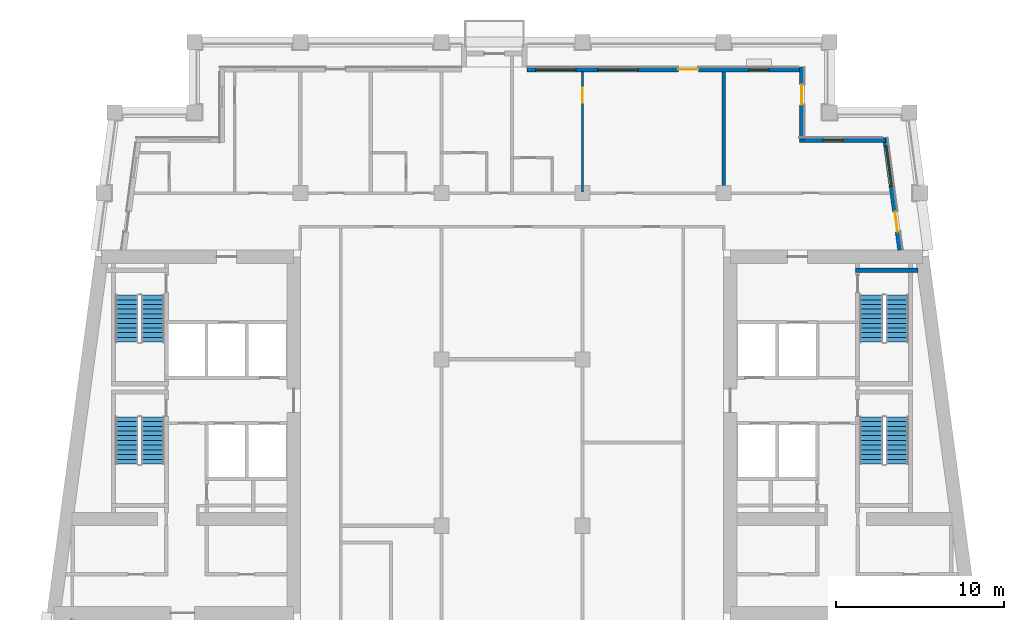
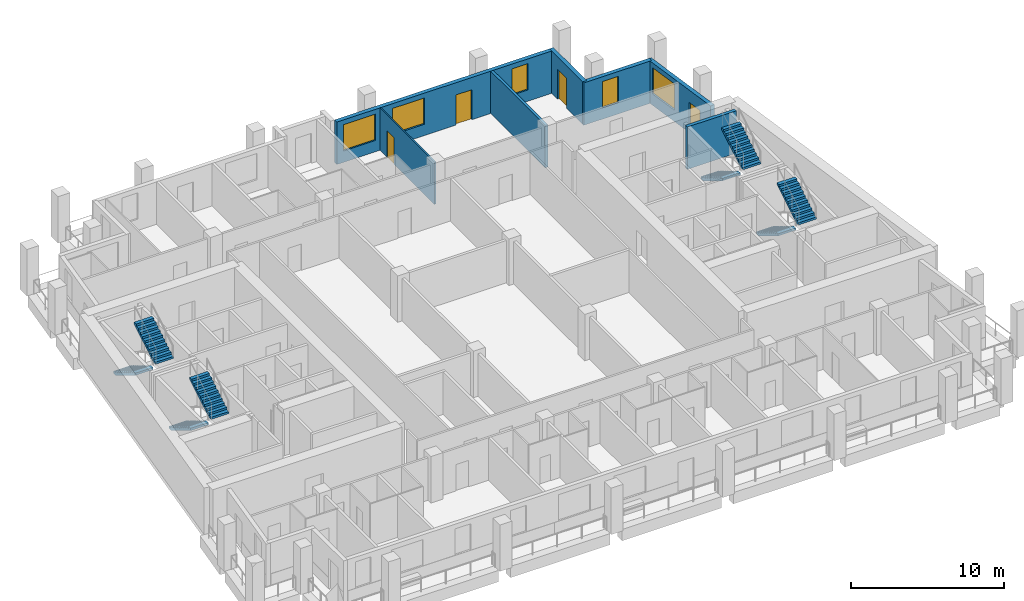
# One storey, part 7 of 12: 8 stair flights, 7 walls, 5 windows, 4 doors, 9 openings, 4 elements without a shape of their own.
"""IFC4 building model written with IfcOpenShell, lengths in metres."""

import ifcopenshell
import ifcopenshell.guid

model = None  # the IFC model being written
_history = None  # IfcOwnerHistory: only IFC2X3 demands one
_inside = {}  # id of a spatial element -> (the spatial element, [elements in it])
_under = {}  # id of a project, library or spatial element -> (it, [spatial elements below it])
_declared = {}  # id of a project -> (the project, [libraries it declares])
_typed = {}  # id of a type object -> (the type object, [elements of that type])
_made_of = {}  # id of a material, layer set ... -> (it, [elements and type objects made of it])


def new_model(schema):
    """Start an empty IFC model of exactly this schema.

    Asked for "IFC4X3", IfcOpenShell would pick the latest addendum, in which some entities
    have other attributes; the version numbers below select the first issue.
    IFC2X3 requires an IfcOwnerHistory on every rooted entity: one is made here for all.
    """
    global model, _history
    if schema == "IFC4X3":
        model = ifcopenshell.file(schema_version=(4, 3, 0, 0))
    else:
        model = ifcopenshell.file(schema=schema)
    _inside.clear()
    _under.clear()
    _declared.clear()
    _typed.clear()
    _made_of.clear()
    _history = None
    if model.schema == "IFC2X3":
        org = make("IfcOrganization", Name="unknown")
        user = make(
            "IfcPersonAndOrganization",
            ThePerson=make("IfcPerson", FamilyName="unknown"),
            TheOrganization=org,
        )
        app = make(
            "IfcApplication",
            ApplicationDeveloper=org,
            Version="unknown",
            ApplicationFullName="unknown",
            ApplicationIdentifier="unknown",
        )
        _history = make(
            "IfcOwnerHistory",
            OwningUser=user,
            OwningApplication=app,
            ChangeAction="ADDED",
            CreationDate=0,
        )
    return model


def make(cls, **values):
    """One entity of the class cls with the attributes given. An attribute that is None is left unset."""
    return model.create_entity(
        cls, **{name: value for name, value in values.items() if value is not None}
    )


def rooted(cls, **values):
    """An entity with a GlobalId (a new one), such as an element, a storey or a relation."""
    return make(cls, GlobalId=ifcopenshell.guid.new(), OwnerHistory=_history, **values)


def si_unit(unit_type, name, prefix=None):
    """IfcSIUnit, for example si_unit("LENGTHUNIT", "METRE", prefix="MILLI")."""
    return make("IfcSIUnit", UnitType=unit_type, Prefix=prefix, Name=name)


def assignment(units):
    """IfcUnitAssignment: the units of a project."""
    return None if units is None else make("IfcUnitAssignment", Units=units)


def point(xyz):
    """IfcCartesianPoint."""
    return None if xyz is None else make("IfcCartesianPoint", Coordinates=xyz)


def direction(xyz):
    """IfcDirection."""
    return None if xyz is None else make("IfcDirection", DirectionRatios=xyz)


def frame(location, z_axis=None, x_axis=None):
    """IfcAxis2Placement3D, a coordinate frame: its origin and axes. An axis left out is left unset."""
    return make(
        "IfcAxis2Placement3D",
        Location=point(location),
        Axis=direction(z_axis),
        RefDirection=direction(x_axis),
    )


def frame_2d(location, x_axis=None):
    """IfcAxis2Placement2D, a coordinate frame in the plane: its origin and x axis."""
    return make(
        "IfcAxis2Placement2D", Location=point(location), RefDirection=direction(x_axis)
    )


def origin():
    """The frame at (0, 0, 0) with its axes left unset."""
    return frame((0.0, 0.0, 0.0))


def place(relative_to, where):
    """IfcLocalPlacement: puts the frame where relative to a parent placement (None: the world)."""
    return make(
        "IfcLocalPlacement", PlacementRelTo=relative_to, RelativePlacement=where
    )


def context(
    kind, dimensions, precision=None, world=None, true_north=None, identifier=None
):
    """IfcGeometricRepresentationContext, for example the 3D "Model" context."""
    return make(
        "IfcGeometricRepresentationContext",
        ContextIdentifier=identifier,
        ContextType=kind,
        CoordinateSpaceDimension=dimensions,
        Precision=precision,
        WorldCoordinateSystem=world,
        TrueNorth=true_north,
    )


def subcontext(parent, identifier, kind, view, scale=None):
    """IfcGeometricRepresentationSubContext, for example "Body" below "Model"."""
    return make(
        "IfcGeometricRepresentationSubContext",
        ContextIdentifier=identifier,
        ContextType=kind,
        ParentContext=parent,
        TargetScale=scale,
        TargetView=view,
    )


def project(units=None, contexts=None):
    """IfcProject with its units and contexts."""
    return rooted(
        "IfcProject",
        Name="project",
        RepresentationContexts=contexts,
        UnitsInContext=assignment(units),
    )


def spatial(cls, under=None, at=None, **own):
    """A site, building, storey or space (cls), placed at a placement, below another one or the project."""
    s = rooted(cls, ObjectPlacement=at, **own)
    if under is not None:
        _under.setdefault(under.id(), (under, []))[1].append(s)
    return s


def polyline(points):
    """IfcPolyline through the points."""
    return make("IfcPolyline", Points=[point(p) for p in points])


def profile(cls, at=None, kind="AREA", **sizes):
    """A parametric profile (cls). Its sizes go by their IFC names, for example OverallWidth=200.0."""
    return make(cls, ProfileType=kind, Position=at, **sizes)


def rectangle(**sizes):
    """IfcRectangleProfileDef."""
    return profile("IfcRectangleProfileDef", **sizes)


def outline(outer, holes=None, kind="AREA"):
    """IfcArbitraryClosedProfileDef: a profile drawn as a closed curve; with holes, ...WithVoids."""
    if holes is None:
        return make("IfcArbitraryClosedProfileDef", ProfileType=kind, OuterCurve=outer)
    return make(
        "IfcArbitraryProfileDefWithVoids",
        ProfileType=kind,
        OuterCurve=outer,
        InnerCurves=holes,
    )


def extrude(swept, where, along, depth):
    """IfcExtrudedAreaSolid: the profile swept, set in the frame where, extruded along a direction by depth."""
    return make(
        "IfcExtrudedAreaSolid",
        SweptArea=swept,
        Position=where,
        ExtrudedDirection=direction(along),
        Depth=depth,
    )


def shape(context_of_items, identifier, shape_type, items):
    """IfcShapeRepresentation: the items that make up one representation, for example the "Body"."""
    return make(
        "IfcShapeRepresentation",
        ContextOfItems=context_of_items,
        RepresentationIdentifier=identifier,
        RepresentationType=shape_type,
        Items=items,
    )


def material(Name=None, Category=None):
    """IfcMaterial."""
    return make("IfcMaterial", Name=Name, Category=Category)


def layer(
    of_material, thickness, ventilated=None, Name=None, Category=None, Priority=None
):
    """IfcMaterialLayer: one layer of a wall or slab, of a material (None: an air gap)."""
    return make(
        "IfcMaterialLayer",
        Material=of_material,
        LayerThickness=thickness,
        IsVentilated=ventilated,
        Name=Name,
        Category=Category,
        Priority=Priority,
    )


def layer_set(layers, Name=None):
    """IfcMaterialLayerSet."""
    return make("IfcMaterialLayerSet", MaterialLayers=layers, LayerSetName=Name)


def made_of(thing, what):
    """Note that an element or type object is made of a material, layer set ...; save() writes the relation."""
    if what is not None:
        _made_of.setdefault(what.id(), (what, []))[1].append(thing)
    return thing


def type_object(cls, material=None, **own):
    """A type object (cls), such as IfcWallType, which elements share."""
    return made_of(rooted(cls, **own), material)


def element(
    cls,
    number,
    at=None,
    inside=None,
    cuts=None,
    type_object=None,
    material=None,
    context=None,
    identifier="Body",
    shape_type=None,
    held_by="IfcProductDefinitionShape",
    body=None,
    shapes=None,
    **own,
):
    """One element of the class cls, such as IfcWall. Its Tag is "e" and its number.

    at: its placement. inside: the storey or other place that contains it. cuts: it is an
    opening in that element (IfcRelVoidsElement). A single representation is given by context,
    identifier, shape_type and body (its items); several are given by shapes. held_by: the class
    of the entity that holds the representations. save() writes the other relations.
    """
    e = rooted(cls, Tag="e%d" % number, ObjectPlacement=at, **own)
    if body is not None:
        shapes = [shape(context, identifier, shape_type, body)]
    if shapes is not None:
        e.Representation = make(held_by, Representations=shapes)
    if inside is not None:
        _inside.setdefault(inside.id(), (inside, []))[1].append(e)
    if cuts is not None:
        rooted(
            "IfcRelVoidsElement", RelatingBuildingElement=cuts, RelatedOpeningElement=e
        )
    if type_object is not None:
        _typed.setdefault(type_object.id(), (type_object, []))[1].append(e)
    return made_of(e, material)


def fill(opening, filler):
    """IfcRelFillsElement: the door or window that sits in an opening."""
    return rooted(
        "IfcRelFillsElement",
        RelatingOpeningElement=opening,
        RelatedBuildingElement=filler,
    )


def aggregate(whole, parts):
    """IfcRelAggregates: a whole, such as a stair, and the parts it consists of."""
    return rooted("IfcRelAggregates", RelatingObject=whole, RelatedObjects=parts)


def save(model, path):
    """Write the relations noted so far, then the file.

    IfcRelAggregates (storeys below a building ...), IfcRelContainedInSpatialStructure (elements
    in a storey), IfcRelDefinesByType, IfcRelAssociatesMaterial and IfcRelDeclares: one each for
    every whole, place, type object, material and project.
    """
    for whole, parts in _under.values():
        aggregate(whole, parts)
    for where, things in _inside.values():
        rooted(
            "IfcRelContainedInSpatialStructure",
            RelatedElements=things,
            RelatingStructure=where,
        )
    for kind, things in _typed.values():
        rooted("IfcRelDefinesByType", RelatedObjects=things, RelatingType=kind)
    for what, things in _made_of.values():
        rooted("IfcRelAssociatesMaterial", RelatedObjects=things, RelatingMaterial=what)
    for by, libraries in _declared.values():
        rooted("IfcRelDeclares", RelatingContext=by, RelatedDefinitions=libraries)
    model.write(path)


model = new_model("IFC4")

# Units and contexts
model_context = context("Model", 3, precision=1e-05, world=origin(), true_north=direction((0.0, 1.0)))
body_context = subcontext(model_context, "Body", "Model", "MODEL_VIEW")
ifc_project = project(units=[si_unit("LENGTHUNIT", "METRE"), si_unit("AREAUNIT", "SQUARE_METRE"), si_unit("VOLUMEUNIT", "CUBIC_METRE"), si_unit("PLANEANGLEUNIT", "RADIAN"), si_unit("MASSUNIT", "GRAM", prefix="KILO")], contexts=[model_context])

# Site, building, storey
site_placement = place(None, origin())
site = spatial("IfcSite", under=ifc_project, at=site_placement, CompositionType="ELEMENT")
building_placement = place(site_placement, origin())
building = spatial("IfcBuilding", under=site, at=building_placement, Name="Candeia Pilgrim Tower and Theatre", CompositionType="ELEMENT")
storey_placement = place(building_placement, frame((0.0, 0.0, 209.60009765625)))
storey = spatial("IfcBuildingStorey", under=building, at=storey_placement, Name="L50", CompositionType="ELEMENT", Elevation=209.60009765625)

# Wall, openings, door, window
ifc_material_1 = material(Name="Ceramic block masonry", Category="masonry")
ifc_layer_1 = layer(ifc_material_1, 0.300048828125)
ifc_layer_set_1 = layer_set([ifc_layer_1], Name="EW1 glazing-line wall 300")
wall_type_1 = type_object("IfcWallType", Name="EW1 glazing-line wall 300", PredefinedType="SOLIDWALL", material=ifc_layer_set_1)
wall_1_placement = place(storey_placement, frame((136.50439453125, 132.39990234375, 0.0), z_axis=(0.0, 0.0, 1.0), x_axis=(-0.133399697462, 0.99106231929, 0.0)))
wall_1 = element("IfcWall", 1, at=wall_1_placement, inside=storey, type_object=wall_type_1, Name="External wall L50-3.1", PredefinedType="SOLIDWALL", context=body_context, shape_type="SweptSolid", body=[
    extrude(rectangle(XDim=6.740478515625, YDim=0.300048828125, at=frame_2d((3.3701171875, 0.0))), origin(), (0.0, 0.0, 1.0), 3.3798828125),
])
opening_1_placement = place(wall_1_placement, frame((1.115234375, 0.0, 0.0)))
opening_1 = element("IfcOpeningElement", 2, at=opening_1_placement, cuts=wall_1, Name="Opening L50-ED475", PredefinedType="OPENING", context=body_context, shape_type="SweptSolid", body=[
    extrude(rectangle(XDim=1.199951171875, YDim=2.39990234375, at=frame_2d((0.60009765625, 1.199951171875))), frame((0.0, 0.16015625, 0.0), z_axis=(0.0, -1.0, 0.0), x_axis=(1.0, 0.0, 0.0)), (0.0, 0.0, 1.0), 0.320068359375),
])
opening_2_placement = place(wall_1_placement, frame((3.83544921875, 0.0, 0.89990234375)))
opening_2 = element("IfcOpeningElement", 3, at=opening_2_placement, cuts=wall_1, Name="Opening W-A", PredefinedType="OPENING", context=body_context, shape_type="SweptSolid", body=[
    extrude(rectangle(XDim=2.39990234375, YDim=2.10009765625, at=frame_2d((1.199951171875, 1.050048828125))), frame((0.0, 0.16015625, 0.0), z_axis=(0.0, -1.0, 0.0), x_axis=(1.0, 0.0, 0.0)), (0.0, 0.0, 1.0), 0.320068359375),
])
ifc_material_2 = material(Name="Aluminium framed glazed door", Category="aluminium")
door_type_1 = type_object("IfcDoorType", Name="Loggia door 1200x2400", OperationType="DOUBLE_DOOR_SINGLE_SWING", PredefinedType="DOOR", material=ifc_material_2)
door_1_placement = place(opening_1_placement, origin())
door_1 = element("IfcDoor", 4, at=door_1_placement, inside=storey, type_object=door_type_1, Name="Loggia door L50-ED475", OperationType="DOUBLE_DOOR_SINGLE_SWING", OverallHeight=2.39990234375, OverallWidth=1.199951171875, PredefinedType="DOOR", context=body_context, shape_type="SweptSolid", body=[
    extrude(rectangle(XDim=1.199951171875, YDim=2.39990234375, at=frame_2d((0.60009765625, 1.199951171875))), frame((0.0, 0.02490234375, 0.0), z_axis=(0.0, -1.0, 0.0), x_axis=(1.0, 0.0, 0.0)), (0.0, 0.0, 1.0), 0.050048828125),
])
fill(opening_1, door_1)
ifc_material_3 = material(Name="Aluminium framed double glazing", Category="aluminium")
window_type_1 = type_object("IfcWindowType", Name="W-A window 2400x2100", PartitioningType="DOUBLE_PANEL_VERTICAL", PredefinedType="WINDOW", material=ifc_material_3)
window_1_placement = place(opening_2_placement, origin())
window_1 = element("IfcWindow", 5, at=window_1_placement, inside=storey, type_object=window_type_1, Name="Window W-A L50", OverallHeight=2.10009765625, OverallWidth=2.39990234375, PartitioningType="SINGLE_PANEL", PredefinedType="WINDOW", context=body_context, shape_type="SweptSolid", body=[
    extrude(rectangle(XDim=2.39990234375, YDim=2.10009765625, at=frame_2d((1.199951171875, 1.050048828125))), frame((0.0, 0.030029296875, 0.0), z_axis=(0.0, -1.0, 0.0), x_axis=(1.0, 0.0, 0.0)), (0.0, 0.0, 1.0), 0.06005859375),
])
fill(opening_2, window_1)

# Wall, opening, window
wall_2_placement = place(storey_placement, frame((135.62255859375, 138.949951171875, 0.0), z_axis=(0.0, 0.0, 1.0), x_axis=(-1.0, 0.0, 0.0)))
wall_2 = element("IfcWall", 6, at=wall_2_placement, inside=storey, type_object=wall_type_1, Name="External wall L50-4.0", PredefinedType="SOLIDWALL", context=body_context, shape_type="SweptSolid", body=[
    extrude(rectangle(XDim=5.12255859375, YDim=0.300048828125, at=frame_2d((2.561279296875, 0.0))), origin(), (0.0, 0.0, 1.0), 3.3798828125),
])
opening_3_placement = place(wall_2_placement, frame((2.522705078125, 0.0, 0.89990234375)))
opening_3 = element("IfcOpeningElement", 7, at=opening_3_placement, cuts=wall_2, Name="Opening W-B", PredefinedType="OPENING", context=body_context, shape_type="SweptSolid", body=[
    extrude(rectangle(XDim=1.199951171875, YDim=2.10009765625, at=frame_2d((0.60009765625, 1.050048828125))), frame((0.0, 0.16015625, 0.0), z_axis=(0.0, -1.0, 0.0), x_axis=(1.0, 0.0, 0.0)), (0.0, 0.0, 1.0), 0.320068359375),
])
window_type_2 = type_object("IfcWindowType", Name="W-B window 1200x2100", PartitioningType="SINGLE_PANEL", PredefinedType="WINDOW", material=ifc_material_3)
window_2_placement = place(opening_3_placement, origin())
window_2 = element("IfcWindow", 8, at=window_2_placement, inside=storey, type_object=window_type_2, Name="Window W-B L50", OverallHeight=2.10009765625, OverallWidth=1.199951171875, PartitioningType="SINGLE_PANEL", PredefinedType="WINDOW", context=body_context, shape_type="SweptSolid", body=[
    extrude(rectangle(XDim=1.199951171875, YDim=2.10009765625, at=frame_2d((0.60009765625, 1.050048828125))), frame((0.0, 0.030029296875, 0.0), z_axis=(0.0, -1.0, 0.0), x_axis=(1.0, 0.0, 0.0)), (0.0, 0.0, 1.0), 0.06005859375),
])
fill(opening_3, window_2)

# Wall, opening, door
wall_3_placement = place(storey_placement, frame((130.64990234375, 138.949951171875, 0.0), z_axis=(0.0, 0.0, 1.0), x_axis=(0.0, 1.0, 0.0)))
wall_3 = element("IfcWall", 9, at=wall_3_placement, inside=storey, type_object=wall_type_1, Name="External wall L50-5.0", PredefinedType="SOLIDWALL", context=body_context, shape_type="SweptSolid", body=[
    extrude(rectangle(XDim=4.35009765625, YDim=0.300048828125, at=frame_2d((2.175048828125, 0.0))), origin(), (0.0, 0.0, 1.0), 3.3798828125),
])
opening_4_placement = place(wall_3_placement, frame((2.10009765625, 0.0, 0.0)))
opening_4 = element("IfcOpeningElement", 10, at=opening_4_placement, cuts=wall_3, Name="Opening L50-ED476", PredefinedType="OPENING", context=body_context, shape_type="SweptSolid", body=[
    extrude(rectangle(XDim=1.199951171875, YDim=2.39990234375, at=frame_2d((0.60009765625, 1.199951171875))), frame((0.0, 0.16015625, 0.0), z_axis=(0.0, -1.0, 0.0), x_axis=(1.0, 0.0, 0.0)), (0.0, 0.0, 1.0), 0.320068359375),
])
door_2_placement = place(opening_4_placement, origin())
door_2 = element("IfcDoor", 11, at=door_2_placement, inside=storey, type_object=door_type_1, Name="Loggia door L50-ED476", OperationType="DOUBLE_DOOR_SINGLE_SWING", OverallHeight=2.39990234375, OverallWidth=1.199951171875, PredefinedType="DOOR", context=body_context, shape_type="SweptSolid", body=[
    extrude(rectangle(XDim=1.199951171875, YDim=2.39990234375, at=frame_2d((0.60009765625, 1.199951171875))), frame((0.0, 0.02490234375, 0.0), z_axis=(0.0, -1.0, 0.0), x_axis=(1.0, 0.0, 0.0)), (0.0, 0.0, 1.0), 0.050048828125),
])
fill(opening_4, door_2)

# Wall, openings, door, windows
wall_4_placement = place(storey_placement, frame((130.64990234375, 143.14990234375, 0.0), z_axis=(0.0, 0.0, 1.0), x_axis=(-1.0, 0.0, 0.0)))
wall_4 = element("IfcWall", 12, at=wall_4_placement, inside=storey, type_object=wall_type_1, Name="External wall L50-6.0", PredefinedType="SOLIDWALL", context=body_context, shape_type="SweptSolid", body=[
    extrude(rectangle(XDim=16.349853515625, YDim=0.300048828125, at=frame_2d((8.1748046875, 0.0))), origin(), (0.0, 0.0, 1.0), 3.3798828125),
])
opening_5_placement = place(wall_4_placement, frame((1.949951171875, 0.0, 0.89990234375)))
opening_5 = element("IfcOpeningElement", 13, at=opening_5_placement, cuts=wall_4, Name="Opening W-B", PredefinedType="OPENING", context=body_context, shape_type="SweptSolid", body=[
    extrude(rectangle(XDim=1.199951171875, YDim=2.10009765625, at=frame_2d((0.60009765625, 1.050048828125))), frame((0.0, 0.16015625, 0.0), z_axis=(0.0, -1.0, 0.0), x_axis=(1.0, 0.0, 0.0)), (0.0, 0.0, 1.0), 0.320068359375),
])
opening_6_placement = place(wall_4_placement, frame((6.14990234375, 0.0, 0.0)))
opening_6 = element("IfcOpeningElement", 14, at=opening_6_placement, cuts=wall_4, Name="Opening L50-ED477", PredefinedType="OPENING", context=body_context, shape_type="SweptSolid", body=[
    extrude(rectangle(XDim=1.199951171875, YDim=2.39990234375, at=frame_2d((0.60009765625, 1.199951171875))), frame((0.0, 0.16015625, 0.0), z_axis=(0.0, -1.0, 0.0), x_axis=(1.0, 0.0, 0.0)), (0.0, 0.0, 1.0), 0.320068359375),
])
opening_7_placement = place(wall_4_placement, frame((9.75, 0.0, 0.89990234375)))
opening_7 = element("IfcOpeningElement", 15, at=opening_7_placement, cuts=wall_4, Name="Opening W-A", PredefinedType="OPENING", context=body_context, shape_type="SweptSolid", body=[
    extrude(rectangle(XDim=2.39990234375, YDim=2.10009765625, at=frame_2d((1.199951171875, 1.050048828125))), frame((0.0, 0.16015625, 0.0), z_axis=(0.0, -1.0, 0.0), x_axis=(1.0, 0.0, 0.0)), (0.0, 0.0, 1.0), 0.320068359375),
])
opening_8_placement = place(wall_4_placement, frame((13.449951171875, 0.0, 0.89990234375)))
opening_8 = element("IfcOpeningElement", 16, at=opening_8_placement, cuts=wall_4, Name="Opening W-A", PredefinedType="OPENING", context=body_context, shape_type="SweptSolid", body=[
    extrude(rectangle(XDim=2.39990234375, YDim=2.10009765625, at=frame_2d((1.199951171875, 1.050048828125))), frame((0.0, 0.16015625, 0.0), z_axis=(0.0, -1.0, 0.0), x_axis=(1.0, 0.0, 0.0)), (0.0, 0.0, 1.0), 0.320068359375),
])
door_3_placement = place(opening_6_placement, origin())
door_3 = element("IfcDoor", 17, at=door_3_placement, inside=storey, type_object=door_type_1, Name="Loggia door L50-ED477", OperationType="DOUBLE_DOOR_SINGLE_SWING", OverallHeight=2.39990234375, OverallWidth=1.199951171875, PredefinedType="DOOR", context=body_context, shape_type="SweptSolid", body=[
    extrude(rectangle(XDim=1.199951171875, YDim=2.39990234375, at=frame_2d((0.60009765625, 1.199951171875))), frame((0.0, 0.02490234375, 0.0), z_axis=(0.0, -1.0, 0.0), x_axis=(1.0, 0.0, 0.0)), (0.0, 0.0, 1.0), 0.050048828125),
])
fill(opening_6, door_3)
window_3_placement = place(opening_7_placement, origin())
window_3 = element("IfcWindow", 18, at=window_3_placement, inside=storey, type_object=window_type_1, Name="Window W-A L50", OverallHeight=2.10009765625, OverallWidth=2.39990234375, PartitioningType="SINGLE_PANEL", PredefinedType="WINDOW", context=body_context, shape_type="SweptSolid", body=[
    extrude(rectangle(XDim=2.39990234375, YDim=2.10009765625, at=frame_2d((1.199951171875, 1.050048828125))), frame((0.0, 0.030029296875, 0.0), z_axis=(0.0, -1.0, 0.0), x_axis=(1.0, 0.0, 0.0)), (0.0, 0.0, 1.0), 0.06005859375),
])
fill(opening_7, window_3)
window_4_placement = place(opening_8_placement, origin())
window_4 = element("IfcWindow", 19, at=window_4_placement, inside=storey, type_object=window_type_1, Name="Window W-A L50", OverallHeight=2.10009765625, OverallWidth=2.39990234375, PartitioningType="SINGLE_PANEL", PredefinedType="WINDOW", context=body_context, shape_type="SweptSolid", body=[
    extrude(rectangle(XDim=2.39990234375, YDim=2.10009765625, at=frame_2d((1.199951171875, 1.050048828125))), frame((0.0, 0.030029296875, 0.0), z_axis=(0.0, -1.0, 0.0), x_axis=(1.0, 0.0, 0.0)), (0.0, 0.0, 1.0), 0.06005859375),
])
fill(opening_8, window_4)
window_5_placement = place(opening_5_placement, origin())
window_5 = element("IfcWindow", 20, at=window_5_placement, inside=storey, type_object=window_type_2, Name="Window W-B L50", OverallHeight=2.10009765625, OverallWidth=1.199951171875, PartitioningType="SINGLE_PANEL", PredefinedType="WINDOW", context=body_context, shape_type="SweptSolid", body=[
    extrude(rectangle(XDim=1.199951171875, YDim=2.10009765625, at=frame_2d((0.60009765625, 1.050048828125))), frame((0.0, 0.030029296875, 0.0), z_axis=(0.0, -1.0, 0.0), x_axis=(1.0, 0.0, 0.0)), (0.0, 0.0, 1.0), 0.06005859375),
])
fill(opening_5, window_5)

# Wall, opening, door
ifc_material_4 = material(Name="Gypsum board partition on steel studs", Category="steel")
ifc_layer_2 = layer(ifc_material_4, 0.10009765625)
ifc_layer_set_2 = layer_set([ifc_layer_2], Name="PW-100 room partition")
wall_type_2 = type_object("IfcWallType", Name="PW-100 room partition", PredefinedType="PARTITIONING", material=ifc_layer_set_2)
wall_5_placement = place(storey_placement, frame((117.60009765625, 135.875, 0.0), z_axis=(0.0, 0.0, 1.0), x_axis=(0.0, 1.0, 0.0)))
wall_5 = element("IfcWall", 21, at=wall_5_placement, inside=storey, type_object=wall_type_2, Name="Room partition L50-090", PredefinedType="PARTITIONING", context=body_context, shape_type="SweptSolid", body=[
    extrude(rectangle(XDim=7.135009765625, YDim=0.10009765625, at=frame_2d((3.5673828125, 0.0))), origin(), (0.0, 0.0, 1.0), 3.3798828125),
])
opening_9_placement = place(wall_5_placement, frame((5.2900390625, 0.0, 0.0)))
opening_9 = element("IfcOpeningElement", 22, at=opening_9_placement, cuts=wall_5, Name="Opening L50-D043", PredefinedType="OPENING", context=body_context, shape_type="SweptSolid", body=[
    extrude(rectangle(XDim=0.89990234375, YDim=2.10009765625, at=frame_2d((0.449951171875, 1.050048828125))), frame((0.0, 0.06005859375, 0.0), z_axis=(0.0, -1.0, 0.0), x_axis=(1.0, 0.0, 0.0)), (0.0, 0.0, 1.0), 0.1201171875),
])
ifc_material_5 = material(Name="Timber door leaf", Category="wood")
door_type_2 = type_object("IfcDoorType", Name="D-900", OperationType="NOTDEFINED", PredefinedType="DOOR", material=ifc_material_5)
door_4_placement = place(opening_9_placement, origin())
door_4 = element("IfcDoor", 23, at=door_4_placement, inside=storey, type_object=door_type_2, Name="Door L50-D043", OperationType="SINGLE_SWING_LEFT", OverallHeight=2.10009765625, OverallWidth=0.89990234375, PredefinedType="DOOR", context=body_context, shape_type="SweptSolid", body=[
    extrude(rectangle(XDim=0.89990234375, YDim=2.10009765625, at=frame_2d((0.449951171875, 1.050048828125))), frame((0.0, 0.02490234375, 0.0), z_axis=(0.0, -1.0, 0.0), x_axis=(1.0, 0.0, 0.0)), (0.0, 0.0, 1.0), 0.050048828125),
])
fill(opening_9, door_4)

# Walls
ifc_layer_3 = layer(ifc_material_4, 0.199951171875)
ifc_layer_set_3 = layer_set([ifc_layer_3], Name="PW-200 party wall")
wall_type_3 = type_object("IfcWallType", Name="PW-200 party wall", PredefinedType="PARTITIONING", material=ifc_layer_set_3)
wall_6_placement = place(storey_placement, frame((126.0, 135.875, 0.0), z_axis=(0.0, 0.0, 1.0), x_axis=(0.0, 1.0, 0.0)))
element("IfcWall", 24, at=wall_6_placement, inside=storey, type_object=wall_type_3, Name="Party wall L50-098", PredefinedType="PARTITIONING", context=body_context, shape_type="SweptSolid", body=[
    extrude(rectangle(XDim=7.135009765625, YDim=0.199951171875, at=frame_2d((3.5673828125, 0.0))), origin(), (0.0, 0.0, 1.0), 3.3798828125),
])
ifc_material_6 = material(Name="Concrete C40/50", Category="concrete")
ifc_layer_4 = layer(ifc_material_6, 0.25)
ifc_layer_set_4 = layer_set([ifc_layer_4], Name="SW-250 stair wall")
wall_type_4 = type_object("IfcWallType", Name="SW-250 stair wall", PredefinedType="PARTITIONING", material=ifc_layer_set_4)
wall_7_placement = place(storey_placement, frame((133.847900390625, 131.199951171875, 0.0), z_axis=(0.0, 0.0, 1.0), x_axis=(1.0, 0.0, 0.0)))
element("IfcWall", 25, at=wall_7_placement, inside=storey, type_object=wall_type_4, Name="Stair wall L50-042", PredefinedType="PARTITIONING", context=body_context, shape_type="SweptSolid", body=[
    extrude(rectangle(XDim=3.705810546875, YDim=0.25, at=frame_2d((1.85302734375, 0.0))), origin(), (0.0, 0.0, 1.0), 3.3798828125),
])

# Stair, stair flights
stair_type = type_object("IfcStairType", Name="ST-TWR dog-leg escape stair", PredefinedType="HALF_TURN_STAIR", material=ifc_material_6)
stair_1_placement = place(storey_placement, origin())
stair_1 = element("IfcStair", 26, at=stair_1_placement, inside=storey, type_object=stair_type, Name="L50 Escape stair ST1", PredefinedType="HALF_TURN_STAIR")
stair_flight_type = type_object("IfcStairFlightType", Name="SFL-RC stair flight", PredefinedType="STRAIGHT", material=ifc_material_6)
stair_flight_1_placement = place(storey_placement, frame((90.47705078125, 122.47509765625, 0.0), z_axis=(0.0, 0.0, 1.0), x_axis=(0.0, -1.0, 0.0)))
stair_flight_1 = element("IfcStairFlight", 27, at=stair_flight_1_placement, type_object=stair_flight_type, Name="ST1 flight 1", NumberOfRisers=11, NumberOfTreads=10, PredefinedType="STRAIGHT", RiserHeight=0.168181818, TreadLength=0.28, context=body_context, shape_type="SweptSolid", body=[
    extrude(outline(polyline([(0.0, 0.0), (0.0, 0.168212890625), (0.280029296875, 0.168212890625), (0.280029296875, 0.33642578125), (0.56005859375, 0.33642578125), (0.56005859375, 0.504638671875), (0.840087890625, 0.504638671875), (0.840087890625, 0.672607421875), (1.1201171875, 0.672607421875), (1.1201171875, 0.8408203125), (1.39990234375, 0.8408203125), (1.39990234375, 1.009033203125), (1.679931640625, 1.009033203125), (1.679931640625, 1.17724609375), (1.9599609375, 1.17724609375), (1.9599609375, 1.345458984375), (2.239990234375, 1.345458984375), (2.239990234375, 1.513671875), (2.52001953125, 1.513671875), (2.52001953125, 1.681884765625), (2.800048828125, 1.681884765625), (2.800048828125, 1.85009765625), (2.800048828125, 1.5068359375), (0.291015625, 0.0), (0.0, 0.0)])), frame((0.0, 0.675048828125, 0.0), z_axis=(0.0, -1.0, 0.0), x_axis=(1.0, 0.0, 0.0)), (0.0, 0.0, 1.0), 1.35009765625),
])
stair_flight_2_placement = place(storey_placement, frame((92.027099609375, 119.675048828125, 1.849853515625), z_axis=(0.0, 0.0, 1.0), x_axis=(0.0, 1.0, 0.0)))
stair_flight_2 = element("IfcStairFlight", 28, at=stair_flight_2_placement, type_object=stair_flight_type, Name="ST1 flight 2", NumberOfRisers=11, NumberOfTreads=10, PredefinedType="STRAIGHT", RiserHeight=0.168181818, TreadLength=0.28, context=body_context, shape_type="SweptSolid", body=[
    extrude(outline(polyline([(0.0, 0.0), (0.0, 0.168212890625), (0.280029296875, 0.168212890625), (0.280029296875, 0.33642578125), (0.56005859375, 0.33642578125), (0.56005859375, 0.504638671875), (0.840087890625, 0.504638671875), (0.840087890625, 0.672607421875), (1.1201171875, 0.672607421875), (1.1201171875, 0.8408203125), (1.39990234375, 0.8408203125), (1.39990234375, 1.009033203125), (1.679931640625, 1.009033203125), (1.679931640625, 1.17724609375), (1.9599609375, 1.17724609375), (1.9599609375, 1.345458984375), (2.239990234375, 1.345458984375), (2.239990234375, 1.513671875), (2.52001953125, 1.513671875), (2.52001953125, 1.681884765625), (2.800048828125, 1.681884765625), (2.800048828125, 1.85009765625), (2.800048828125, 1.5068359375), (0.291015625, 0.0), (0.0, 0.0)])), frame((0.0, 0.675048828125, 0.0), z_axis=(0.0, -1.0, 0.0), x_axis=(1.0, 0.0, 0.0)), (0.0, 0.0, 1.0), 1.35009765625),
])
aggregate(stair_1, [stair_flight_1, stair_flight_2])

stair_2_placement = place(storey_placement, origin())
stair_2 = element("IfcStair", 29, at=stair_2_placement, inside=storey, type_object=stair_type, Name="L50 Escape stair ST2", PredefinedType="HALF_TURN_STAIR")
stair_flight_3_placement = place(storey_placement, frame((90.47705078125, 129.72509765625, 0.0), z_axis=(0.0, 0.0, 1.0), x_axis=(0.0, -1.0, 0.0)))
stair_flight_3 = element("IfcStairFlight", 30, at=stair_flight_3_placement, type_object=stair_flight_type, Name="ST2 flight 1", NumberOfRisers=11, NumberOfTreads=10, PredefinedType="STRAIGHT", RiserHeight=0.168181818, TreadLength=0.28, context=body_context, shape_type="SweptSolid", body=[
    extrude(outline(polyline([(0.0, 0.0), (0.0, 0.168212890625), (0.280029296875, 0.168212890625), (0.280029296875, 0.33642578125), (0.56005859375, 0.33642578125), (0.56005859375, 0.504638671875), (0.840087890625, 0.504638671875), (0.840087890625, 0.672607421875), (1.1201171875, 0.672607421875), (1.1201171875, 0.8408203125), (1.39990234375, 0.8408203125), (1.39990234375, 1.009033203125), (1.679931640625, 1.009033203125), (1.679931640625, 1.17724609375), (1.9599609375, 1.17724609375), (1.9599609375, 1.345458984375), (2.239990234375, 1.345458984375), (2.239990234375, 1.513671875), (2.52001953125, 1.513671875), (2.52001953125, 1.681884765625), (2.800048828125, 1.681884765625), (2.800048828125, 1.85009765625), (2.800048828125, 1.5068359375), (0.291015625, 0.0), (0.0, 0.0)])), frame((0.0, 0.675048828125, 0.0), z_axis=(0.0, -1.0, 0.0), x_axis=(1.0, 0.0, 0.0)), (0.0, 0.0, 1.0), 1.35009765625),
])
stair_flight_4_placement = place(storey_placement, frame((92.027099609375, 126.925048828125, 1.849853515625), z_axis=(0.0, 0.0, 1.0), x_axis=(0.0, 1.0, 0.0)))
stair_flight_4 = element("IfcStairFlight", 31, at=stair_flight_4_placement, type_object=stair_flight_type, Name="ST2 flight 2", NumberOfRisers=11, NumberOfTreads=10, PredefinedType="STRAIGHT", RiserHeight=0.168181818, TreadLength=0.28, context=body_context, shape_type="SweptSolid", body=[
    extrude(outline(polyline([(0.0, 0.0), (0.0, 0.168212890625), (0.280029296875, 0.168212890625), (0.280029296875, 0.33642578125), (0.56005859375, 0.33642578125), (0.56005859375, 0.504638671875), (0.840087890625, 0.504638671875), (0.840087890625, 0.672607421875), (1.1201171875, 0.672607421875), (1.1201171875, 0.8408203125), (1.39990234375, 0.8408203125), (1.39990234375, 1.009033203125), (1.679931640625, 1.009033203125), (1.679931640625, 1.17724609375), (1.9599609375, 1.17724609375), (1.9599609375, 1.345458984375), (2.239990234375, 1.345458984375), (2.239990234375, 1.513671875), (2.52001953125, 1.513671875), (2.52001953125, 1.681884765625), (2.800048828125, 1.681884765625), (2.800048828125, 1.85009765625), (2.800048828125, 1.5068359375), (0.291015625, 0.0), (0.0, 0.0)])), frame((0.0, 0.675048828125, 0.0), z_axis=(0.0, -1.0, 0.0), x_axis=(1.0, 0.0, 0.0)), (0.0, 0.0, 1.0), 1.35009765625),
])
aggregate(stair_2, [stair_flight_3, stair_flight_4])

stair_3_placement = place(storey_placement, origin())
stair_3 = element("IfcStair", 32, at=stair_3_placement, inside=storey, type_object=stair_type, Name="L50 Escape stair ST3", PredefinedType="HALF_TURN_STAIR")
stair_flight_5_placement = place(storey_placement, frame((134.77294921875, 122.47509765625, 0.0), z_axis=(0.0, 0.0, 1.0), x_axis=(0.0, -1.0, 0.0)))
stair_flight_5 = element("IfcStairFlight", 33, at=stair_flight_5_placement, type_object=stair_flight_type, Name="ST3 flight 1", NumberOfRisers=11, NumberOfTreads=10, PredefinedType="STRAIGHT", RiserHeight=0.168181818, TreadLength=0.28, context=body_context, shape_type="SweptSolid", body=[
    extrude(outline(polyline([(0.0, 0.0), (0.0, 0.168212890625), (0.280029296875, 0.168212890625), (0.280029296875, 0.33642578125), (0.56005859375, 0.33642578125), (0.56005859375, 0.504638671875), (0.840087890625, 0.504638671875), (0.840087890625, 0.672607421875), (1.1201171875, 0.672607421875), (1.1201171875, 0.8408203125), (1.39990234375, 0.8408203125), (1.39990234375, 1.009033203125), (1.679931640625, 1.009033203125), (1.679931640625, 1.17724609375), (1.9599609375, 1.17724609375), (1.9599609375, 1.345458984375), (2.239990234375, 1.345458984375), (2.239990234375, 1.513671875), (2.52001953125, 1.513671875), (2.52001953125, 1.681884765625), (2.800048828125, 1.681884765625), (2.800048828125, 1.85009765625), (2.800048828125, 1.5068359375), (0.291015625, 0.0), (0.0, 0.0)])), frame((0.0, 0.675048828125, 0.0), z_axis=(0.0, -1.0, 0.0), x_axis=(1.0, 0.0, 0.0)), (0.0, 0.0, 1.0), 1.35009765625),
])
stair_flight_6_placement = place(storey_placement, frame((136.322998046875, 119.675048828125, 1.849853515625), z_axis=(0.0, 0.0, 1.0), x_axis=(0.0, 1.0, 0.0)))
stair_flight_6 = element("IfcStairFlight", 34, at=stair_flight_6_placement, type_object=stair_flight_type, Name="ST3 flight 2", NumberOfRisers=11, NumberOfTreads=10, PredefinedType="STRAIGHT", RiserHeight=0.168181818, TreadLength=0.28, context=body_context, shape_type="SweptSolid", body=[
    extrude(outline(polyline([(0.0, 0.0), (0.0, 0.168212890625), (0.280029296875, 0.168212890625), (0.280029296875, 0.33642578125), (0.56005859375, 0.33642578125), (0.56005859375, 0.504638671875), (0.840087890625, 0.504638671875), (0.840087890625, 0.672607421875), (1.1201171875, 0.672607421875), (1.1201171875, 0.8408203125), (1.39990234375, 0.8408203125), (1.39990234375, 1.009033203125), (1.679931640625, 1.009033203125), (1.679931640625, 1.17724609375), (1.9599609375, 1.17724609375), (1.9599609375, 1.345458984375), (2.239990234375, 1.345458984375), (2.239990234375, 1.513671875), (2.52001953125, 1.513671875), (2.52001953125, 1.681884765625), (2.800048828125, 1.681884765625), (2.800048828125, 1.85009765625), (2.800048828125, 1.5068359375), (0.291015625, 0.0), (0.0, 0.0)])), frame((0.0, 0.675048828125, 0.0), z_axis=(0.0, -1.0, 0.0), x_axis=(1.0, 0.0, 0.0)), (0.0, 0.0, 1.0), 1.35009765625),
])
aggregate(stair_3, [stair_flight_5, stair_flight_6])

stair_4_placement = place(storey_placement, origin())
stair_4 = element("IfcStair", 35, at=stair_4_placement, inside=storey, type_object=stair_type, Name="L50 Escape stair ST4", PredefinedType="HALF_TURN_STAIR")
stair_flight_7_placement = place(storey_placement, frame((134.77294921875, 129.72509765625, 0.0), z_axis=(0.0, 0.0, 1.0), x_axis=(0.0, -1.0, 0.0)))
stair_flight_7 = element("IfcStairFlight", 36, at=stair_flight_7_placement, type_object=stair_flight_type, Name="ST4 flight 1", NumberOfRisers=11, NumberOfTreads=10, PredefinedType="STRAIGHT", RiserHeight=0.168181818, TreadLength=0.28, context=body_context, shape_type="SweptSolid", body=[
    extrude(outline(polyline([(0.0, 0.0), (0.0, 0.168212890625), (0.280029296875, 0.168212890625), (0.280029296875, 0.33642578125), (0.56005859375, 0.33642578125), (0.56005859375, 0.504638671875), (0.840087890625, 0.504638671875), (0.840087890625, 0.672607421875), (1.1201171875, 0.672607421875), (1.1201171875, 0.8408203125), (1.39990234375, 0.8408203125), (1.39990234375, 1.009033203125), (1.679931640625, 1.009033203125), (1.679931640625, 1.17724609375), (1.9599609375, 1.17724609375), (1.9599609375, 1.345458984375), (2.239990234375, 1.345458984375), (2.239990234375, 1.513671875), (2.52001953125, 1.513671875), (2.52001953125, 1.681884765625), (2.800048828125, 1.681884765625), (2.800048828125, 1.85009765625), (2.800048828125, 1.5068359375), (0.291015625, 0.0), (0.0, 0.0)])), frame((0.0, 0.675048828125, 0.0), z_axis=(0.0, -1.0, 0.0), x_axis=(1.0, 0.0, 0.0)), (0.0, 0.0, 1.0), 1.35009765625),
])
stair_flight_8_placement = place(storey_placement, frame((136.322998046875, 126.925048828125, 1.849853515625), z_axis=(0.0, 0.0, 1.0), x_axis=(0.0, 1.0, 0.0)))
stair_flight_8 = element("IfcStairFlight", 37, at=stair_flight_8_placement, type_object=stair_flight_type, Name="ST4 flight 2", NumberOfRisers=11, NumberOfTreads=10, PredefinedType="STRAIGHT", RiserHeight=0.168181818, TreadLength=0.28, context=body_context, shape_type="SweptSolid", body=[
    extrude(outline(polyline([(0.0, 0.0), (0.0, 0.168212890625), (0.280029296875, 0.168212890625), (0.280029296875, 0.33642578125), (0.56005859375, 0.33642578125), (0.56005859375, 0.504638671875), (0.840087890625, 0.504638671875), (0.840087890625, 0.672607421875), (1.1201171875, 0.672607421875), (1.1201171875, 0.8408203125), (1.39990234375, 0.8408203125), (1.39990234375, 1.009033203125), (1.679931640625, 1.009033203125), (1.679931640625, 1.17724609375), (1.9599609375, 1.17724609375), (1.9599609375, 1.345458984375), (2.239990234375, 1.345458984375), (2.239990234375, 1.513671875), (2.52001953125, 1.513671875), (2.52001953125, 1.681884765625), (2.800048828125, 1.681884765625), (2.800048828125, 1.85009765625), (2.800048828125, 1.5068359375), (0.291015625, 0.0), (0.0, 0.0)])), frame((0.0, 0.675048828125, 0.0), z_axis=(0.0, -1.0, 0.0), x_axis=(1.0, 0.0, 0.0)), (0.0, 0.0, 1.0), 1.35009765625),
])
aggregate(stair_4, [stair_flight_7, stair_flight_8])

save(model, "model.ifc")
